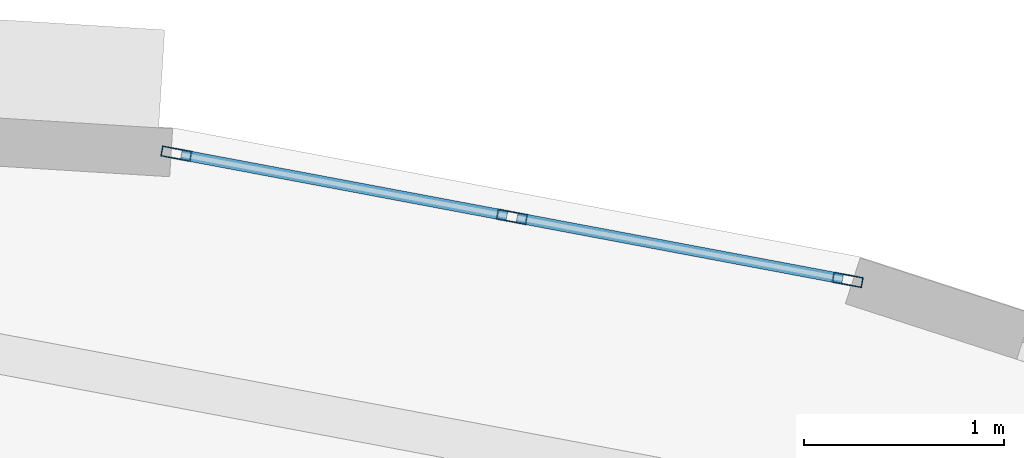
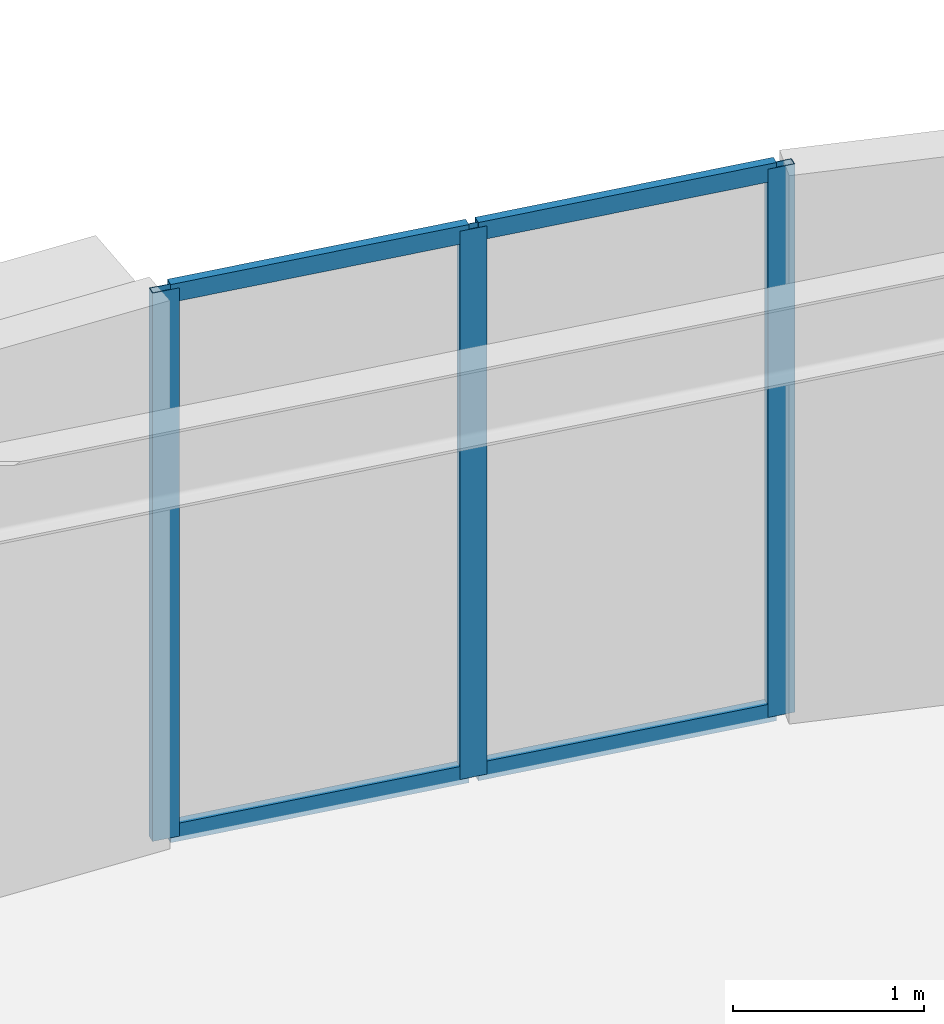
# One storey, part 4 of 17: 7 members, 1 element without a shape of its own.
"""IFC4 building model written with IfcOpenShell, lengths in metres."""

from ifc_helpers import new_model, si_unit, direction, frame, origin, origin_2d, place, context, subcontext, project, spatial, hollow_rectangle, extrude, source, transform, mapped, material, layer, layer_set, material_profile, profile_set, type_object, element, aggregate, save


model = new_model("IFC4")

# Units and contexts
model_context = context("Model", 3, precision=1e-05, world=origin(), true_north=direction((0.0, 1.0)))
body_context = subcontext(model_context, "Body", "Model", "MODEL_VIEW")
ifc_project = project(units=[si_unit("LENGTHUNIT", "METRE"), si_unit("AREAUNIT", "SQUARE_METRE"), si_unit("VOLUMEUNIT", "CUBIC_METRE"), si_unit("PLANEANGLEUNIT", "RADIAN"), si_unit("MASSUNIT", "GRAM", prefix="KILO")], contexts=[model_context])

# Site, building, storey
site_placement = place(None, origin())
site = spatial("IfcSite", under=ifc_project, at=site_placement, CompositionType="ELEMENT")
building_placement = place(site_placement, origin())
building = spatial("IfcBuilding", under=site, at=building_placement, Name="Linh Dai School and Residence Tower", CompositionType="ELEMENT")
storey_placement = place(building_placement, frame((0.0, 0.0, 280.5)))
storey = spatial("IfcBuildingStorey", under=building, at=storey_placement, Name="L69", CompositionType="ELEMENT", Elevation=280.5)

# Curtain wall, members
ifc_material_1 = material(Name="Aluminium Anodised Curtain Wall", Category="aluminium")
ifc_layer = layer(ifc_material_1, 0.14990234375)
ifc_layer_set = layer_set([ifc_layer], Name="Aluminium Anodised Curtain Wall")
curtain_wall_type = type_object("IfcCurtainWallType", Name="CW-SYS-4", PredefinedType="USERDEFINED", material=ifc_layer_set)
curtain_wall_placement = place(storey_placement, origin())
curtain_wall = element("IfcCurtainWall", 1, at=curtain_wall_placement, inside=storey, type_object=curtain_wall_type, Name="L69 CW4 Curtain Wall 09", ObjectType="RIBBON CURTAIN WALL", PredefinedType="USERDEFINED")
ifc_material_2 = material(Name="Aluminium Alloy 6063-T6", Category="aluminium")
ifc_material_profile_1 = material_profile(ifc_material_2, hollow_rectangle(XDim=0.052001953125, YDim=0.14990234375, WallThickness=0.00390625, at=origin_2d()), Name="RHS 150x52x4")
ifc_profile_set_1 = profile_set([ifc_material_profile_1], Name="Aluminium Alloy 6063-T6")
member_type_1 = type_object("IfcMemberType", Name="CW-SYS-4-MUL", PredefinedType="MULLION", material=ifc_profile_set_1)
shared_shape_1 = source(origin(), body_context, "Body", "SweptSolid", [
    extrude(hollow_rectangle(XDim=0.052001953125, YDim=0.14990234375, WallThickness=0.00390625, at=origin_2d()), origin(), (0.0, 0.0, 1.0), 3.5),
])
member_1_placement = place(storey_placement, frame((39.514404296875, 44.1953125, 0.0), z_axis=(0.0, 0.0, 1.0), x_axis=(0.184751197452, 0.982785325002, 0.0)))
member_1 = element("IfcMember", 2, at=member_1_placement, type_object=member_type_1, Name="CW4 mullion 1", PredefinedType="MULLION", context=body_context, shape_type="MappedRepresentation", body=[
    mapped(shared_shape_1, transform((0.0, 0.0, 0.0), x_axis=(1.0, 0.0, 0.0), y_axis=(0.0, 1.0, 0.0), z_axis=(0.0, 0.0, 1.0), scale=1.0)),
])
member_2_placement = place(storey_placement, frame((41.18994140625, 43.880126953125, 0.0), z_axis=(0.0, 0.0, 1.0), x_axis=(0.184751197452, 0.982785325002, 0.0)))
member_2 = element("IfcMember", 3, at=member_2_placement, type_object=member_type_1, Name="CW4 mullion 2", PredefinedType="MULLION", context=body_context, shape_type="MappedRepresentation", body=[
    mapped(shared_shape_1, transform((0.0, 0.0, 0.0), x_axis=(1.0, 0.0, 0.0), y_axis=(0.0, 1.0, 0.0), z_axis=(0.0, 0.0, 1.0), scale=1.0)),
])
member_3_placement = place(storey_placement, frame((42.86572265625, 43.565185546875, 0.0), z_axis=(0.0, 0.0, 1.0), x_axis=(0.184751197452, 0.982785325002, 0.0)))
member_3 = element("IfcMember", 4, at=member_3_placement, type_object=member_type_1, Name="CW4 mullion 3", PredefinedType="MULLION", context=body_context, shape_type="MappedRepresentation", body=[
    mapped(shared_shape_1, transform((0.0, 0.0, 0.0), x_axis=(1.0, 0.0, 0.0), y_axis=(0.0, 1.0, 0.0), z_axis=(0.0, 0.0, 1.0), scale=1.0)),
])
ifc_material_profile_2 = material_profile(ifc_material_2, hollow_rectangle(XDim=0.052001953125, YDim=0.114990234375, WallThickness=0.00390625, at=origin_2d()), Name="RHS 115x52x4")
ifc_profile_set_2 = profile_set([ifc_material_profile_2], Name="Aluminium Alloy 6063-T6")
member_type_2 = type_object("IfcMemberType", Name="CW-SYS-4-TRN", PredefinedType="USERDEFINED", material=ifc_profile_set_2)
shared_shape_2 = source(origin(), body_context, "Body", "SweptSolid", [
    extrude(hollow_rectangle(XDim=0.052001953125, YDim=0.114990234375, WallThickness=0.00390625, at=origin_2d()), origin(), (0.0, 0.0, 1.0), 1.653076171875),
])
member_4_placement = place(storey_placement, frame((39.539794921875, 44.1904296875, 0.02587890625), z_axis=(0.982781778181, -0.184770063797, 0.0), x_axis=(0.184770063797, 0.982781778181, 0.0)))
member_4 = element("IfcMember", 5, at=member_4_placement, type_object=member_type_2, Name="CW4 transom 1.1", ObjectType="TRANSOM", PredefinedType="USERDEFINED", context=body_context, shape_type="MappedRepresentation", body=[
    mapped(shared_shape_2, transform((0.0, 0.0, 0.0), x_axis=(1.0, 0.0, 0.0), y_axis=(0.0, 1.0, 0.0), z_axis=(0.0, 0.0, 1.0), scale=1.0)),
])
member_5_placement = place(storey_placement, frame((39.539794921875, 44.1904296875, 3.47412109375), z_axis=(0.982781778181, -0.184770063797, 0.0), x_axis=(0.184770063797, 0.982781778181, 0.0)))
member_5 = element("IfcMember", 6, at=member_5_placement, type_object=member_type_2, Name="CW4 transom 1.2", ObjectType="TRANSOM", PredefinedType="USERDEFINED", context=body_context, shape_type="MappedRepresentation", body=[
    mapped(shared_shape_2, transform((0.0, 0.0, 0.0), x_axis=(1.0, 0.0, 0.0), y_axis=(0.0, 1.0, 0.0), z_axis=(0.0, 0.0, 1.0), scale=1.0)),
])
member_6_placement = place(storey_placement, frame((41.215576171875, 43.87548828125, 0.02587890625), z_axis=(0.982781778181, -0.184770063797, 0.0), x_axis=(0.184770063797, 0.982781778181, 0.0)))
member_6 = element("IfcMember", 7, at=member_6_placement, type_object=member_type_2, Name="CW4 transom 2.1", ObjectType="TRANSOM", PredefinedType="USERDEFINED", context=body_context, shape_type="MappedRepresentation", body=[
    mapped(shared_shape_2, transform((0.0, 0.0, 0.0), x_axis=(1.0, 0.0, 0.0), y_axis=(0.0, 1.0, 0.0), z_axis=(0.0, 0.0, 1.0), scale=1.0)),
])
member_7_placement = place(storey_placement, frame((41.215576171875, 43.87548828125, 3.47412109375), z_axis=(0.982781778181, -0.184770063797, 0.0), x_axis=(0.184770063797, 0.982781778181, 0.0)))
member_7 = element("IfcMember", 8, at=member_7_placement, type_object=member_type_2, Name="CW4 transom 2.2", ObjectType="TRANSOM", PredefinedType="USERDEFINED", context=body_context, shape_type="MappedRepresentation", body=[
    mapped(shared_shape_2, transform((0.0, 0.0, 0.0), x_axis=(1.0, 0.0, 0.0), y_axis=(0.0, 1.0, 0.0), z_axis=(0.0, 0.0, 1.0), scale=1.0)),
])
aggregate(curtain_wall, [member_1, member_2, member_3, member_4, member_5, member_6, member_7])

save(model, "model.ifc")
